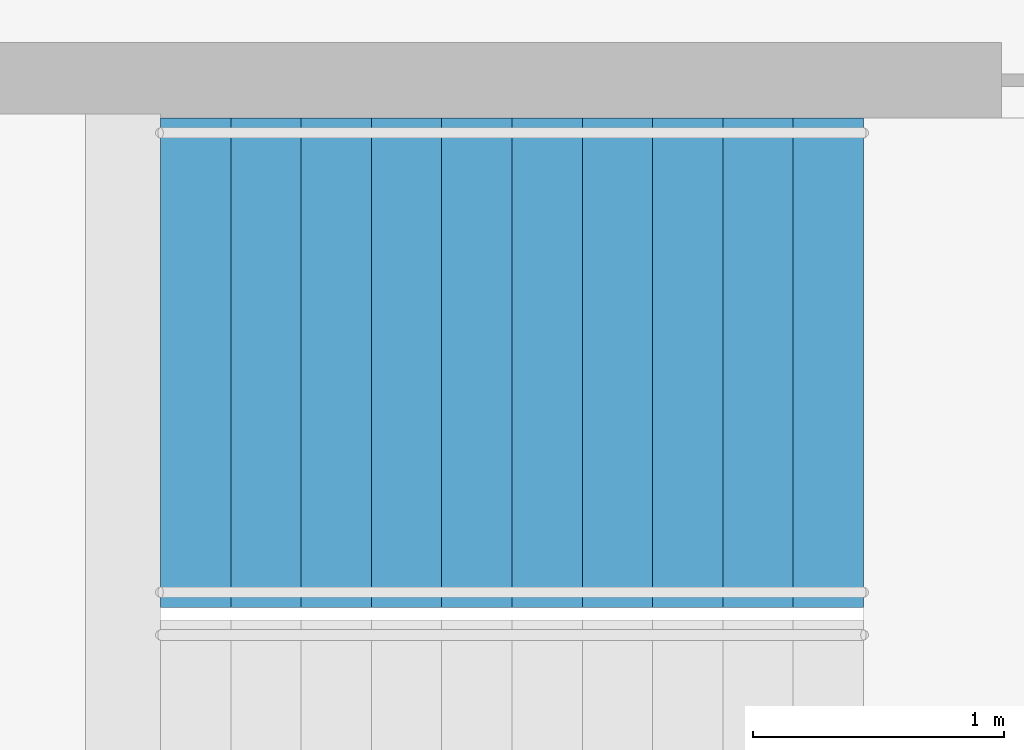
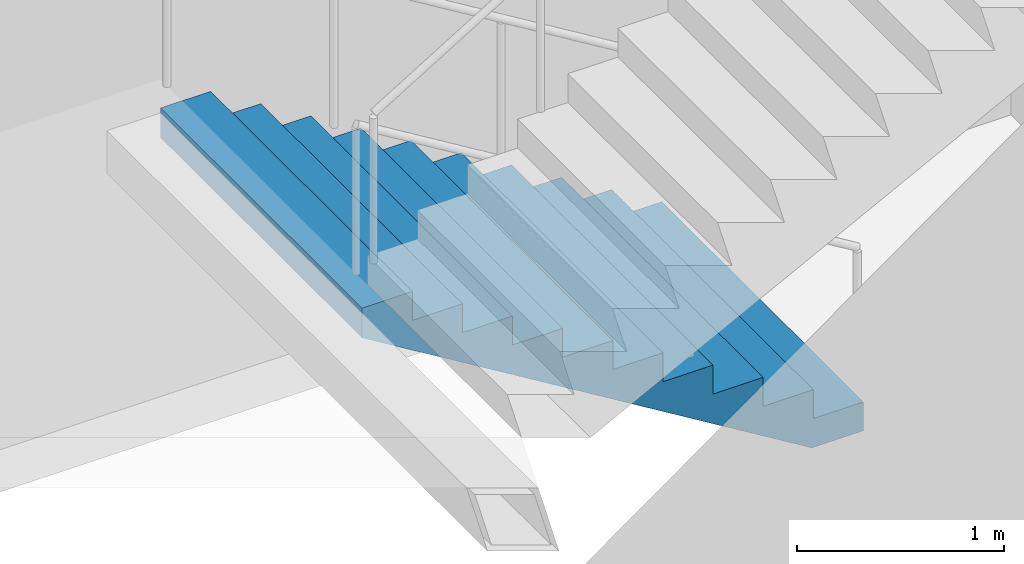
# One storey, part 22 of 23: 1 stair flight, 1 element without a shape of its own.
"""IFC4 building model written with IfcOpenShell, lengths in metres."""

from ifc_helpers import new_model, si_unit, direction, frame, origin, place, context, subcontext, project, spatial, triangles, material, type_object, element, aggregate, save


model = new_model("IFC4")

# Units and contexts
model_context = context("Model", 3, precision=1e-05, world=origin(), true_north=direction((0.0, 1.0)))
body_context = subcontext(model_context, "Body", "Model", "MODEL_VIEW")
ifc_project = project(units=[si_unit("LENGTHUNIT", "METRE"), si_unit("AREAUNIT", "SQUARE_METRE"), si_unit("VOLUMEUNIT", "CUBIC_METRE"), si_unit("PLANEANGLEUNIT", "RADIAN"), si_unit("MASSUNIT", "GRAM", prefix="KILO")], contexts=[model_context])

# Site, building, storey
site_placement = place(None, origin())
site = spatial("IfcSite", under=ifc_project, at=site_placement, CompositionType="ELEMENT")
building_placement = place(site_placement, origin())
building = spatial("IfcBuilding", under=site, at=building_placement, Name="Orbita Commons", CompositionType="ELEMENT")
storey_placement = place(building_placement, frame((0.0, 0.0, 65.199951171875)))
storey = spatial("IfcBuildingStorey", under=building, at=storey_placement, Name="L16", CompositionType="ELEMENT", Elevation=65.199951171875)

# Stair, stair flight
ifc_material_1 = material(Name="Precast concrete C40/50", Category="concrete")
stair_type = type_object("IfcStairType", Name="Exit stair S2 2 flights 11 risers 170", PredefinedType="HALF_TURN_STAIR", material=ifc_material_1)
stair_placement = place(storey_placement, origin())
stair = element("IfcStair", 1, at=stair_placement, inside=storey, type_object=stair_type, Name="Exit stair S2 L16", PredefinedType="HALF_TURN_STAIR")
ifc_material_2 = material(Name="Precast concrete C40/50", Category="concrete")
stair_flight_type = type_object("IfcStairFlightType", Name="Stair flight 11 risers 170 x 280", PredefinedType="STRAIGHT", material=ifc_material_2)
stair_flight_placement = place(storey_placement, frame((63.550048828125, 29.27490234375, 0.0), z_axis=(0.0, 0.0, 1.0), x_axis=(-1.0, 0.0, 0.0)))
stair_flight = element("IfcStairFlight", 2, at=stair_flight_placement, type_object=stair_flight_type, Name="S2 flight 1", NumberOfRisers=11, NumberOfTreads=10, PredefinedType="STRAIGHT", RiserHeight=0.170454545, TreadLength=0.28, context=body_context, shape_type="Tessellation", body=[
    triangles([(0.0, 0.974976, 0.0), (0.0, 0.974976, 0.021307), (0.0, 0.81248, 0.021307), (0.0, 0.81248, 0.0), (0.0, 0.649984, 0.021307), (0.0, 0.649984, 0.0), (0.0, 0.487488, 0.021307), (0.0, 0.487488, 0.0), (0.0, 0.324992, 0.021307), (0.0, 0.324992, 0.0), (0.0, 0.162496, 0.021307), (0.0, 0.162496, 0.0), (0.0, 0.0, 0.021307), (0.0, 0.0, 0.0), (0.0, -0.162496, 0.021307), (0.0, -0.162496, 0.0), (0.0, -0.324992, 0.021307), (0.0, -0.324992, 0.0), (0.0, -0.487488, 0.021307), (0.0, -0.487488, 0.0), (0.0, -0.649984, 0.021307), (0.0, -0.649984, 0.0), (0.0, -0.81248, 0.021307), (0.0, -0.81248, 0.0), (0.0, -0.974976, 0.021307), (0.0, -0.974976, 0.0), (0.0, 0.974976, 0.042614), (0.0, 0.81248, 0.042614), (0.0, 0.649984, 0.042614), (0.0, 0.487488, 0.042614), (0.0, 0.324992, 0.042614), (0.0, 0.162496, 0.042614), (0.0, 0.0, 0.042614), (0.0, -0.162496, 0.042614), (0.0, -0.324992, 0.042614), (0.0, -0.487488, 0.042614), (0.0, -0.649984, 0.042614), (0.0, -0.81248, 0.042614), (0.0, -0.974976, 0.042614), (0.0, 0.974976, 0.06392), (0.0, 0.81248, 0.06392), (0.0, 0.649984, 0.06392), (0.0, 0.487488, 0.06392), (0.0, 0.324992, 0.06392), (0.0, 0.162496, 0.06392), (0.0, 0.0, 0.06392), (0.0, -0.162496, 0.06392), (0.0, -0.324992, 0.06392), (0.0, -0.487488, 0.06392), (0.0, -0.649984, 0.06392), (0.0, -0.81248, 0.06392), (0.0, -0.974976, 0.06392), (0.0, 0.974976, 0.085227), (0.0, 0.81248, 0.085227), (0.0, 0.649984, 0.085227), (0.0, 0.487488, 0.085227), (0.0, 0.324992, 0.085227), (0.0, 0.162496, 0.085227), (0.0, 0.0, 0.085227), (0.0, -0.162496, 0.085227), (0.0, -0.324992, 0.085227), (0.0, -0.487488, 0.085227), (0.0, -0.649984, 0.085227), (0.0, -0.81248, 0.085227), (0.0, -0.974976, 0.085227), (0.0, 0.974976, 0.106534), (0.0, 0.81248, 0.106534), (0.0, 0.649984, 0.106534), (0.0, 0.487488, 0.106534), (0.0, 0.324992, 0.106534), (0.0, 0.162496, 0.106534), (0.0, 0.0, 0.106534), (0.0, -0.162496, 0.106534), (0.0, -0.324992, 0.106534), (0.0, -0.487488, 0.106534), (0.0, -0.649984, 0.106534), (0.0, -0.81248, 0.106534), (0.0, -0.974976, 0.106534), (0.0, 0.974976, 0.127841), (0.0, 0.81248, 0.127841), (0.0, 0.649984, 0.127841), (0.0, 0.487488, 0.127841), (0.0, 0.324992, 0.127841), (0.0, 0.162496, 0.127841), (0.0, 0.0, 0.127841), (0.0, -0.162496, 0.127841), (0.0, -0.324992, 0.127841), (0.0, -0.487488, 0.127841), (0.0, -0.649984, 0.127841), (0.0, -0.81248, 0.127841), (0.0, -0.974976, 0.127841), (0.0, 0.974976, 0.149148), (0.0, 0.81248, 0.149148), (0.0, 0.649984, 0.149148), (0.0, 0.487488, 0.149148), (0.0, 0.324992, 0.149148), (0.0, 0.162496, 0.149148), (0.0, 0.0, 0.149148), (0.0, -0.162496, 0.149148), (0.0, -0.324992, 0.149148), (0.0, -0.487488, 0.149148), (0.0, -0.649984, 0.149148), (0.0, -0.81248, 0.149148), (0.0, -0.974976, 0.149148), (0.0, 0.974976, 0.170455), (0.0, 0.81248, 0.170455), (0.0, 0.649984, 0.170455), (0.0, 0.487488, 0.170455), (0.0, 0.324992, 0.170455), (0.0, 0.162496, 0.170455), (0.0, 0.0, 0.170455), (0.0, -0.162496, 0.170455), (0.0, -0.324992, 0.170455), (0.0, -0.487488, 0.170455), (0.0, -0.649984, 0.170455), (0.0, -0.81248, 0.170455), (0.0, -0.974976, 0.170455), (0.28, 0.974976, 0.170455), (0.28, 0.81248, 0.170455), (0.28, 0.649984, 0.170455), (0.28, 0.487488, 0.170455), (0.28, 0.324992, 0.170455), (0.28, 0.162496, 0.170455), (0.28, 0.0, 0.170455), (0.28, -0.162496, 0.170455), (0.28, -0.324992, 0.170455), (0.28, -0.487488, 0.170455), (0.28, -0.649984, 0.170455), (0.28, -0.81248, 0.170455), (0.28, -0.974976, 0.170455), (0.28, 0.974976, 0.340909), (0.28, 0.81248, 0.340909), (0.28, 0.649984, 0.340909), (0.28, 0.487488, 0.340909), (0.28, 0.324992, 0.340909), (0.28, 0.162496, 0.340909), (0.28, 0.0, 0.340909), (0.28, -0.162496, 0.340909), (0.28, -0.324992, 0.340909), (0.28, -0.487488, 0.340909), (0.28, -0.649984, 0.340909), (0.28, -0.81248, 0.340909), (0.28, -0.974976, 0.340909), (0.56, 0.974976, 0.340909), (0.56, 0.81248, 0.340909), (0.56, 0.649984, 0.340909), (0.56, 0.487488, 0.340909), (0.56, 0.324992, 0.340909), (0.56, 0.162496, 0.340909), (0.56, 0.0, 0.340909), (0.56, -0.162496, 0.340909), (0.56, -0.324992, 0.340909), (0.56, -0.487488, 0.340909), (0.56, -0.649984, 0.340909), (0.56, -0.81248, 0.340909), (0.56, -0.974976, 0.340909), (0.56, 0.974976, 0.511364), (0.56, 0.81248, 0.511364), (0.56, 0.649984, 0.511364), (0.56, 0.487488, 0.511364), (0.56, 0.324992, 0.511364), (0.56, 0.162496, 0.511364), (0.56, 0.0, 0.511364), (0.56, -0.162496, 0.511364), (0.56, -0.324992, 0.511364), (0.56, -0.487488, 0.511364), (0.56, -0.649984, 0.511364), (0.56, -0.81248, 0.511364), (0.56, -0.974976, 0.511364), (0.84, 0.974976, 0.511364), (0.84, 0.81248, 0.511364), (0.84, 0.649984, 0.511364), (0.84, 0.487488, 0.511364), (0.84, 0.324992, 0.511364), (0.84, 0.162496, 0.511364), (0.84, 0.0, 0.511364), (0.84, -0.162496, 0.511364), (0.84, -0.324992, 0.511364), (0.84, -0.487488, 0.511364), (0.84, -0.649984, 0.511364), (0.84, -0.81248, 0.511364), (0.84, -0.974976, 0.511364), (0.84, 0.974976, 0.681818), (0.84, 0.81248, 0.681818), (0.84, 0.649984, 0.681818), (0.84, 0.487488, 0.681818), (0.84, 0.324992, 0.681818), (0.84, 0.162496, 0.681818), (0.84, 0.0, 0.681818), (0.84, -0.162496, 0.681818), (0.84, -0.324992, 0.681818), (0.84, -0.487488, 0.681818), (0.84, -0.649984, 0.681818), (0.84, -0.81248, 0.681818), (0.84, -0.974976, 0.681818), (1.12, 0.974976, 0.681818), (1.12, 0.81248, 0.681818), (1.12, 0.649984, 0.681818), (1.12, 0.487488, 0.681818), (1.12, 0.324992, 0.681818), (1.12, 0.162496, 0.681818), (1.12, 0.0, 0.681818), (1.12, -0.162496, 0.681818), (1.12, -0.324992, 0.681818), (1.12, -0.487488, 0.681818), (1.12, -0.649984, 0.681818), (1.12, -0.81248, 0.681818), (1.12, -0.974976, 0.681818), (1.12, 0.974976, 0.852273), (1.12, 0.81248, 0.852273), (1.12, 0.649984, 0.852273), (1.12, 0.487488, 0.852273), (1.12, 0.324992, 0.852273), (1.12, 0.162496, 0.852273), (1.12, 0.0, 0.852273), (1.12, -0.162496, 0.852273), (1.12, -0.324992, 0.852273), (1.12, -0.487488, 0.852273), (1.12, -0.649984, 0.852273), (1.12, -0.81248, 0.852273), (1.12, -0.974976, 0.852273), (1.4, 0.974976, 0.852273), (1.4, 0.81248, 0.852273), (1.4, 0.649984, 0.852273), (1.4, 0.487488, 0.852273), (1.4, 0.324992, 0.852273), (1.4, 0.162496, 0.852273), (1.4, 0.0, 0.852273), (1.4, -0.162496, 0.852273), (1.4, -0.324992, 0.852273), (1.4, -0.487488, 0.852273), (1.4, -0.649984, 0.852273), (1.4, -0.81248, 0.852273), (1.4, -0.974976, 0.852273), (1.4, 0.974976, 1.022727), (1.4, 0.81248, 1.022727), (1.4, 0.649984, 1.022727), (1.4, 0.487488, 1.022727), (1.4, 0.324992, 1.022727), (1.4, 0.162496, 1.022727), (1.4, 0.0, 1.022727), (1.4, -0.162496, 1.022727), (1.4, -0.324992, 1.022727), (1.4, -0.487488, 1.022727), (1.4, -0.649984, 1.022727), (1.4, -0.81248, 1.022727), (1.4, -0.974976, 1.022727), (1.68, 0.974976, 1.022727), (1.68, 0.81248, 1.022727), (1.68, 0.649984, 1.022727), (1.68, 0.487488, 1.022727), (1.68, 0.324992, 1.022727), (1.68, 0.162496, 1.022727), (1.68, 0.0, 1.022727), (1.68, -0.162496, 1.022727), (1.68, -0.324992, 1.022727), (1.68, -0.487488, 1.022727), (1.68, -0.649984, 1.022727), (1.68, -0.81248, 1.022727), (1.68, -0.974976, 1.022727), (1.68, 0.974976, 1.193182), (1.68, 0.81248, 1.193182), (1.68, 0.649984, 1.193182), (1.68, 0.487488, 1.193182), (1.68, 0.324992, 1.193182), (1.68, 0.162496, 1.193182), (1.68, 0.0, 1.193182), (1.68, -0.162496, 1.193182), (1.68, -0.324992, 1.193182), (1.68, -0.487488, 1.193182), (1.68, -0.649984, 1.193182), (1.68, -0.81248, 1.193182), (1.68, -0.974976, 1.193182), (1.96, 0.974976, 1.193182), (1.96, 0.81248, 1.193182), (1.96, 0.649984, 1.193182), (1.96, 0.487488, 1.193182), (1.96, 0.324992, 1.193182), (1.96, 0.162496, 1.193182), (1.96, 0.0, 1.193182), (1.96, -0.162496, 1.193182), (1.96, -0.324992, 1.193182), (1.96, -0.487488, 1.193182), (1.96, -0.649984, 1.193182), (1.96, -0.81248, 1.193182), (1.96, -0.974976, 1.193182), (1.96, 0.974976, 1.363636), (1.96, 0.81248, 1.363636), (1.96, 0.649984, 1.363636), (1.96, 0.487488, 1.363636), (1.96, 0.324992, 1.363636), (1.96, 0.162496, 1.363636), (1.96, 0.0, 1.363636), (1.96, -0.162496, 1.363636), (1.96, -0.324992, 1.363636), (1.96, -0.487488, 1.363636), (1.96, -0.649984, 1.363636), (1.96, -0.81248, 1.363636), (1.96, -0.974976, 1.363636), (2.24, 0.974976, 1.363636), (2.24, 0.81248, 1.363636), (2.24, 0.649984, 1.363636), (2.24, 0.487488, 1.363636), (2.24, 0.324992, 1.363636), (2.24, 0.162496, 1.363636), (2.24, 0.0, 1.363636), (2.24, -0.162496, 1.363636), (2.24, -0.324992, 1.363636), (2.24, -0.487488, 1.363636), (2.24, -0.649984, 1.363636), (2.24, -0.81248, 1.363636), (2.24, -0.974976, 1.363636), (2.24, 0.974976, 1.534091), (2.24, 0.81248, 1.534091), (2.24, 0.649984, 1.534091), (2.24, 0.487488, 1.534091), (2.24, 0.324992, 1.534091), (2.24, 0.162496, 1.534091), (2.24, 0.0, 1.534091), (2.24, -0.162496, 1.534091), (2.24, -0.324992, 1.534091), (2.24, -0.487488, 1.534091), (2.24, -0.649984, 1.534091), (2.24, -0.81248, 1.534091), (2.24, -0.974976, 1.534091), (2.52, 0.974976, 1.534091), (2.52, 0.81248, 1.534091), (2.52, 0.649984, 1.534091), (2.52, 0.487488, 1.534091), (2.52, 0.324992, 1.534091), (2.52, 0.162496, 1.534091), (2.52, 0.0, 1.534091), (2.52, -0.162496, 1.534091), (2.52, -0.324992, 1.534091), (2.52, -0.487488, 1.534091), (2.52, -0.649984, 1.534091), (2.52, -0.81248, 1.534091), (2.52, -0.974976, 1.534091), (2.52, 0.974976, 1.704545), (2.52, 0.81248, 1.704545), (2.52, 0.649984, 1.704545), (2.52, 0.487488, 1.704545), (2.52, 0.324992, 1.704545), (2.52, 0.162496, 1.704545), (2.52, 0.0, 1.704545), (2.52, -0.162496, 1.704545), (2.52, -0.324992, 1.704545), (2.52, -0.487488, 1.704545), (2.52, -0.649984, 1.704545), (2.52, -0.81248, 1.704545), (2.52, -0.974976, 1.704545), (2.8, 0.974976, 1.704545), (2.8, 0.81248, 1.704545), (2.8, 0.649984, 1.704545), (2.8, 0.487488, 1.704545), (2.8, 0.324992, 1.704545), (2.8, 0.162496, 1.704545), (2.8, 0.0, 1.704545), (2.8, -0.162496, 1.704545), (2.8, -0.324992, 1.704545), (2.8, -0.487488, 1.704545), (2.8, -0.649984, 1.704545), (2.8, -0.81248, 1.704545), (2.8, -0.974976, 1.704545), (2.8, 0.974976, 1.682609), (2.8, 0.81248, 1.682609), (2.8, 0.649984, 1.682609), (2.8, 0.487488, 1.682609), (2.8, 0.324992, 1.682609), (2.8, 0.162496, 1.682609), (2.8, 0.0, 1.682609), (2.8, -0.162496, 1.682609), (2.8, -0.324992, 1.682609), (2.8, -0.487488, 1.682609), (2.8, -0.649984, 1.682609), (2.8, -0.81248, 1.682609), (2.8, -0.974976, 1.682609), (2.8, 0.974976, 1.660672), (2.8, 0.81248, 1.660672), (2.8, 0.649984, 1.660672), (2.8, 0.487488, 1.660672), (2.8, 0.324992, 1.660672), (2.8, 0.162496, 1.660672), (2.8, 0.0, 1.660672), (2.8, -0.162496, 1.660672), (2.8, -0.324992, 1.660672), (2.8, -0.487488, 1.660672), (2.8, -0.649984, 1.660672), (2.8, -0.81248, 1.660672), (2.8, -0.974976, 1.660672), (2.8, 0.974976, 1.638735), (2.8, 0.81248, 1.638735), (2.8, 0.649984, 1.638735), (2.8, 0.487488, 1.638735), (2.8, 0.324992, 1.638735), (2.8, 0.162496, 1.638735), (2.8, 0.0, 1.638735), (2.8, -0.162496, 1.638735), (2.8, -0.324992, 1.638735), (2.8, -0.487488, 1.638735), (2.8, -0.649984, 1.638735), (2.8, -0.81248, 1.638735), (2.8, -0.974976, 1.638735), (2.8, 0.974976, 1.616798), (2.8, 0.81248, 1.616798), (2.8, 0.649984, 1.616798), (2.8, 0.487488, 1.616798), (2.8, 0.324992, 1.616798), (2.8, 0.162496, 1.616798), (2.8, 0.0, 1.616798), (2.8, -0.162496, 1.616798), (2.8, -0.324992, 1.616798), (2.8, -0.487488, 1.616798), (2.8, -0.649984, 1.616798), (2.8, -0.81248, 1.616798), (2.8, -0.974976, 1.616798), (2.8, 0.974976, 1.594861), (2.8, 0.81248, 1.594861), (2.8, 0.649984, 1.594861), (2.8, 0.487488, 1.594861), (2.8, 0.324992, 1.594861), (2.8, 0.162496, 1.594861), (2.8, 0.0, 1.594861), (2.8, -0.162496, 1.594861), (2.8, -0.324992, 1.594861), (2.8, -0.487488, 1.594861), (2.8, -0.649984, 1.594861), (2.8, -0.81248, 1.594861), (2.8, -0.974976, 1.594861), (2.8, 0.974976, 1.572925), (2.8, 0.81248, 1.572925), (2.8, 0.649984, 1.572925), (2.8, 0.487488, 1.572925), (2.8, 0.324992, 1.572925), (2.8, 0.162496, 1.572925), (2.8, 0.0, 1.572925), (2.8, -0.162496, 1.572925), (2.8, -0.324992, 1.572925), (2.8, -0.487488, 1.572925), (2.8, -0.649984, 1.572925), (2.8, -0.81248, 1.572925), (2.8, -0.974976, 1.572925), (2.8, 0.974976, 1.550988), (2.8, 0.81248, 1.550988), (2.8, 0.649984, 1.550988), (2.8, 0.487488, 1.550988), (2.8, 0.324992, 1.550988), (2.8, 0.162496, 1.550988), (2.8, 0.0, 1.550988), (2.8, -0.162496, 1.550988), (2.8, -0.324992, 1.550988), (2.8, -0.487488, 1.550988), (2.8, -0.649984, 1.550988), (2.8, -0.81248, 1.550988), (2.8, -0.974976, 1.550988), (2.8, 0.974976, 1.529051), (2.8, 0.81248, 1.529051), (2.8, 0.649984, 1.529051), (2.8, 0.487488, 1.529051), (2.8, 0.324992, 1.529051), (2.8, 0.162496, 1.529051), (2.8, 0.0, 1.529051), (2.8, -0.162496, 1.529051), (2.8, -0.324992, 1.529051), (2.8, -0.487488, 1.529051), (2.8, -0.649984, 1.529051), (2.8, -0.81248, 1.529051), (2.8, -0.974976, 1.529051), (0.288279, 0.974976, 0.0), (0.288279, 0.81248, 0.0), (0.288279, 0.649984, 0.0), (0.288279, 0.487488, 0.0), (0.288279, 0.324992, 0.0), (0.288279, 0.162496, 0.0), (0.288279, 0.0, 0.0), (0.288279, -0.162496, 0.0), (0.288279, -0.324992, 0.0), (0.288279, -0.487488, 0.0), (0.288279, -0.649984, 0.0), (0.288279, -0.81248, 0.0), (0.288279, -0.974976, 0.0)], [[3, 2, 1], [4, 3, 1], [5, 3, 4], [6, 5, 4], [7, 5, 6], [8, 7, 6], [9, 7, 8], [10, 9, 8], [11, 9, 10], [12, 11, 10], [13, 11, 12], [14, 13, 12], [15, 13, 14], [16, 15, 14], [17, 15, 16], [18, 17, 16], [19, 17, 18], [20, 19, 18], [21, 19, 20], [22, 21, 20], [23, 21, 22], [24, 23, 22], [25, 23, 24], [26, 25, 24], [28, 27, 2], [3, 28, 2], [29, 28, 3], [5, 29, 3], [30, 29, 5], [7, 30, 5], [31, 30, 7], [9, 31, 7], [32, 31, 9], [11, 32, 9], [33, 32, 11], [13, 33, 11], [34, 33, 13], [15, 34, 13], [35, 34, 15], [17, 35, 15], [36, 35, 17], [19, 36, 17], [37, 36, 19], [21, 37, 19], [38, 37, 21], [23, 38, 21], [39, 38, 23], [25, 39, 23], [41, 40, 27], [28, 41, 27], [42, 41, 28], [29, 42, 28], [43, 42, 29], [30, 43, 29], [44, 43, 30], [31, 44, 30], [45, 44, 31], [32, 45, 31], [46, 45, 32], [33, 46, 32], [47, 46, 33], [34, 47, 33], [48, 47, 34], [35, 48, 34], [49, 48, 35], [36, 49, 35], [50, 49, 36], [37, 50, 36], [51, 50, 37], [38, 51, 37], [52, 51, 38], [39, 52, 38], [54, 53, 40], [41, 54, 40], [55, 54, 41], [42, 55, 41], [56, 55, 42], [43, 56, 42], [57, 56, 43], [44, 57, 43], [58, 57, 44], [45, 58, 44], [59, 58, 45], [46, 59, 45], [60, 59, 46], [47, 60, 46], [61, 60, 47], [48, 61, 47], [62, 61, 48], [49, 62, 48], [63, 62, 49], [50, 63, 49], [64, 63, 50], [51, 64, 50], [65, 64, 51], [52, 65, 51], [67, 66, 53], [54, 67, 53], [68, 67, 54], [55, 68, 54], [69, 68, 55], [56, 69, 55], [70, 69, 56], [57, 70, 56], [71, 70, 57], [58, 71, 57], [72, 71, 58], [59, 72, 58], [73, 72, 59], [60, 73, 59], [74, 73, 60], [61, 74, 60], [75, 74, 61], [62, 75, 61], [76, 75, 62], [63, 76, 62], [77, 76, 63], [64, 77, 63], [78, 77, 64], [65, 78, 64], [80, 79, 66], [67, 80, 66], [81, 80, 67], [68, 81, 67], [82, 81, 68], [69, 82, 68], [83, 82, 69], [70, 83, 69], [84, 83, 70], [71, 84, 70], [85, 84, 71], [72, 85, 71], [86, 85, 72], [73, 86, 72], [87, 86, 73], [74, 87, 73], [88, 87, 74], [75, 88, 74], [89, 88, 75], [76, 89, 75], [90, 89, 76], [77, 90, 76], [91, 90, 77], [78, 91, 77], [93, 92, 79], [80, 93, 79], [94, 93, 80], [81, 94, 80], [95, 94, 81], [82, 95, 81], [96, 95, 82], [83, 96, 82], [97, 96, 83], [84, 97, 83], [98, 97, 84], [85, 98, 84], [99, 98, 85], [86, 99, 85], [100, 99, 86], [87, 100, 86], [101, 100, 87], [88, 101, 87], [102, 101, 88], [89, 102, 88], [103, 102, 89], [90, 103, 89], [104, 103, 90], [91, 104, 90], [106, 105, 92], [93, 106, 92], [107, 106, 93], [94, 107, 93], [108, 107, 94], [95, 108, 94], [109, 108, 95], [96, 109, 95], [110, 109, 96], [97, 110, 96], [111, 110, 97], [98, 111, 97], [112, 111, 98], [99, 112, 98], [113, 112, 99], [100, 113, 99], [114, 113, 100], [101, 114, 100], [115, 114, 101], [102, 115, 101], [116, 115, 102], [103, 116, 102], [117, 116, 103], [104, 117, 103], [119, 118, 105], [106, 119, 105], [120, 119, 106], [107, 120, 106], [121, 120, 107], [108, 121, 107], [122, 121, 108], [109, 122, 108], [123, 122, 109], [110, 123, 109], [124, 123, 110], [111, 124, 110], [125, 124, 111], [112, 125, 111], [126, 125, 112], [113, 126, 112], [127, 126, 113], [114, 127, 113], [128, 127, 114], [115, 128, 114], [129, 128, 115], [116, 129, 115], [130, 129, 116], [117, 130, 116], [132, 131, 118], [119, 132, 118], [133, 132, 119], [120, 133, 119], [134, 133, 120], [121, 134, 120], [135, 134, 121], [122, 135, 121], [136, 135, 122], [123, 136, 122], [137, 136, 123], [124, 137, 123], [138, 137, 124], [125, 138, 124], [139, 138, 125], [126, 139, 125], [140, 139, 126], [127, 140, 126], [141, 140, 127], [128, 141, 127], [142, 141, 128], [129, 142, 128], [143, 142, 129], [130, 143, 129], [145, 144, 131], [132, 145, 131], [146, 145, 132], [133, 146, 132], [147, 146, 133], [134, 147, 133], [148, 147, 134], [135, 148, 134], [149, 148, 135], [136, 149, 135], [150, 149, 136], [137, 150, 136], [151, 150, 137], [138, 151, 137], [152, 151, 138], [139, 152, 138], [153, 152, 139], [140, 153, 139], [154, 153, 140], [141, 154, 140], [155, 154, 141], [142, 155, 141], [156, 155, 142], [143, 156, 142], [158, 157, 144], [145, 158, 144], [159, 158, 145], [146, 159, 145], [160, 159, 146], [147, 160, 146], [161, 160, 147], [148, 161, 147], [162, 161, 148], [149, 162, 148], [163, 162, 149], [150, 163, 149], [164, 163, 150], [151, 164, 150], [165, 164, 151], [152, 165, 151], [166, 165, 152], [153, 166, 152], [167, 166, 153], [154, 167, 153], [168, 167, 154], [155, 168, 154], [169, 168, 155], [156, 169, 155], [171, 170, 157], [158, 171, 157], [172, 171, 158], [159, 172, 158], [173, 172, 159], [160, 173, 159], [174, 173, 160], [161, 174, 160], [175, 174, 161], [162, 175, 161], [176, 175, 162], [163, 176, 162], [177, 176, 163], [164, 177, 163], [178, 177, 164], [165, 178, 164], [179, 178, 165], [166, 179, 165], [180, 179, 166], [167, 180, 166], [181, 180, 167], [168, 181, 167], [182, 181, 168], [169, 182, 168], [184, 183, 170], [171, 184, 170], [185, 184, 171], [172, 185, 171], [186, 185, 172], [173, 186, 172], [187, 186, 173], [174, 187, 173], [188, 187, 174], [175, 188, 174], [189, 188, 175], [176, 189, 175], [190, 189, 176], [177, 190, 176], [191, 190, 177], [178, 191, 177], [192, 191, 178], [179, 192, 178], [193, 192, 179], [180, 193, 179], [194, 193, 180], [181, 194, 180], [195, 194, 181], [182, 195, 181], [197, 196, 183], [184, 197, 183], [198, 197, 184], [185, 198, 184], [199, 198, 185], [186, 199, 185], [200, 199, 186], [187, 200, 186], [201, 200, 187], [188, 201, 187], [202, 201, 188], [189, 202, 188], [203, 202, 189], [190, 203, 189], [204, 203, 190], [191, 204, 190], [205, 204, 191], [192, 205, 191], [206, 205, 192], [193, 206, 192], [207, 206, 193], [194, 207, 193], [208, 207, 194], [195, 208, 194], [210, 209, 196], [197, 210, 196], [211, 210, 197], [198, 211, 197], [212, 211, 198], [199, 212, 198], [213, 212, 199], [200, 213, 199], [214, 213, 200], [201, 214, 200], [215, 214, 201], [202, 215, 201], [216, 215, 202], [203, 216, 202], [217, 216, 203], [204, 217, 203], [218, 217, 204], [205, 218, 204], [219, 218, 205], [206, 219, 205], [220, 219, 206], [207, 220, 206], [221, 220, 207], [208, 221, 207], [223, 222, 209], [210, 223, 209], [224, 223, 210], [211, 224, 210], [225, 224, 211], [212, 225, 211], [226, 225, 212], [213, 226, 212], [227, 226, 213], [214, 227, 213], [228, 227, 214], [215, 228, 214], [229, 228, 215], [216, 229, 215], [230, 229, 216], [217, 230, 216], [231, 230, 217], [218, 231, 217], [232, 231, 218], [219, 232, 218], [233, 232, 219], [220, 233, 219], [234, 233, 220], [221, 234, 220], [236, 235, 222], [223, 236, 222], [237, 236, 223], [224, 237, 223], [238, 237, 224], [225, 238, 224], [239, 238, 225], [226, 239, 225], [240, 239, 226], [227, 240, 226], [241, 240, 227], [228, 241, 227], [242, 241, 228], [229, 242, 228], [243, 242, 229], [230, 243, 229], [244, 243, 230], [231, 244, 230], [245, 244, 231], [232, 245, 231], [246, 245, 232], [233, 246, 232], [247, 246, 233], [234, 247, 233], [249, 248, 235], [236, 249, 235], [250, 249, 236], [237, 250, 236], [251, 250, 237], [238, 251, 237], [252, 251, 238], [239, 252, 238], [253, 252, 239], [240, 253, 239], [254, 253, 240], [241, 254, 240], [255, 254, 241], [242, 255, 241], [256, 255, 242], [243, 256, 242], [257, 256, 243], [244, 257, 243], [258, 257, 244], [245, 258, 244], [259, 258, 245], [246, 259, 245], [260, 259, 246], [247, 260, 246], [262, 261, 248], [249, 262, 248], [263, 262, 249], [250, 263, 249], [264, 263, 250], [251, 264, 250], [265, 264, 251], [252, 265, 251], [266, 265, 252], [253, 266, 252], [267, 266, 253], [254, 267, 253], [268, 267, 254], [255, 268, 254], [269, 268, 255], [256, 269, 255], [270, 269, 256], [257, 270, 256], [271, 270, 257], [258, 271, 257], [272, 271, 258], [259, 272, 258], [273, 272, 259], [260, 273, 259], [275, 274, 261], [262, 275, 261], [276, 275, 262], [263, 276, 262], [277, 276, 263], [264, 277, 263], [278, 277, 264], [265, 278, 264], [279, 278, 265], [266, 279, 265], [280, 279, 266], [267, 280, 266], [281, 280, 267], [268, 281, 267], [282, 281, 268], [269, 282, 268], [283, 282, 269], [270, 283, 269], [284, 283, 270], [271, 284, 270], [285, 284, 271], [272, 285, 271], [286, 285, 272], [273, 286, 272], [288, 287, 274], [275, 288, 274], [289, 288, 275], [276, 289, 275], [290, 289, 276], [277, 290, 276], [291, 290, 277], [278, 291, 277], [292, 291, 278], [279, 292, 278], [293, 292, 279], [280, 293, 279], [294, 293, 280], [281, 294, 280], [295, 294, 281], [282, 295, 281], [296, 295, 282], [283, 296, 282], [297, 296, 283], [284, 297, 283], [298, 297, 284], [285, 298, 284], [299, 298, 285], [286, 299, 285], [301, 300, 287], [288, 301, 287], [302, 301, 288], [289, 302, 288], [303, 302, 289], [290, 303, 289], [304, 303, 290], [291, 304, 290], [305, 304, 291], [292, 305, 291], [306, 305, 292], [293, 306, 292], [307, 306, 293], [294, 307, 293], [308, 307, 294], [295, 308, 294], [309, 308, 295], [296, 309, 295], [310, 309, 296], [297, 310, 296], [311, 310, 297], [298, 311, 297], [312, 311, 298], [299, 312, 298], [314, 313, 300], [301, 314, 300], [315, 314, 301], [302, 315, 301], [316, 315, 302], [303, 316, 302], [317, 316, 303], [304, 317, 303], [318, 317, 304], [305, 318, 304], [319, 318, 305], [306, 319, 305], [320, 319, 306], [307, 320, 306], [321, 320, 307], [308, 321, 307], [322, 321, 308], [309, 322, 308], [323, 322, 309], [310, 323, 309], [324, 323, 310], [311, 324, 310], [325, 324, 311], [312, 325, 311], [327, 326, 313], [314, 327, 313], [328, 327, 314], [315, 328, 314], [329, 328, 315], [316, 329, 315], [330, 329, 316], [317, 330, 316], [331, 330, 317], [318, 331, 317], [332, 331, 318], [319, 332, 318], [333, 332, 319], [320, 333, 319], [334, 333, 320], [321, 334, 320], [335, 334, 321], [322, 335, 321], [336, 335, 322], [323, 336, 322], [337, 336, 323], [324, 337, 323], [338, 337, 324], [325, 338, 324], [340, 339, 326], [327, 340, 326], [341, 340, 327], [328, 341, 327], [342, 341, 328], [329, 342, 328], [343, 342, 329], [330, 343, 329], [344, 343, 330], [331, 344, 330], [345, 344, 331], [332, 345, 331], [346, 345, 332], [333, 346, 332], [347, 346, 333], [334, 347, 333], [348, 347, 334], [335, 348, 334], [349, 348, 335], [336, 349, 335], [350, 349, 336], [337, 350, 336], [351, 350, 337], [338, 351, 337], [353, 352, 339], [340, 353, 339], [354, 353, 340], [341, 354, 340], [355, 354, 341], [342, 355, 341], [356, 355, 342], [343, 356, 342], [357, 356, 343], [344, 357, 343], [358, 357, 344], [345, 358, 344], [359, 358, 345], [346, 359, 345], [360, 359, 346], [347, 360, 346], [361, 360, 347], [348, 361, 347], [362, 361, 348], [349, 362, 348], [363, 362, 349], [350, 363, 349], [364, 363, 350], [351, 364, 350], [366, 365, 352], [353, 366, 352], [367, 366, 353], [354, 367, 353], [368, 367, 354], [355, 368, 354], [369, 368, 355], [356, 369, 355], [370, 369, 356], [357, 370, 356], [371, 370, 357], [358, 371, 357], [372, 371, 358], [359, 372, 358], [373, 372, 359], [360, 373, 359], [374, 373, 360], [361, 374, 360], [375, 374, 361], [362, 375, 361], [376, 375, 362], [363, 376, 362], [377, 376, 363], [364, 377, 363], [379, 378, 365], [366, 379, 365], [380, 379, 366], [367, 380, 366], [381, 380, 367], [368, 381, 367], [382, 381, 368], [369, 382, 368], [383, 382, 369], [370, 383, 369], [384, 383, 370], [371, 384, 370], [385, 384, 371], [372, 385, 371], [386, 385, 372], [373, 386, 372], [387, 386, 373], [374, 387, 373], [388, 387, 374], [375, 388, 374], [389, 388, 375], [376, 389, 375], [390, 389, 376], [377, 390, 376], [392, 391, 378], [379, 392, 378], [393, 392, 379], [380, 393, 379], [394, 393, 380], [381, 394, 380], [395, 394, 381], [382, 395, 381], [396, 395, 382], [383, 396, 382], [397, 396, 383], [384, 397, 383], [398, 397, 384], [385, 398, 384], [399, 398, 385], [386, 399, 385], [400, 399, 386], [387, 400, 386], [401, 400, 387], [388, 401, 387], [402, 401, 388], [389, 402, 388], [403, 402, 389], [390, 403, 389], [405, 404, 391], [392, 405, 391], [406, 405, 392], [393, 406, 392], [407, 406, 393], [394, 407, 393], [408, 407, 394], [395, 408, 394], [409, 408, 395], [396, 409, 395], [410, 409, 396], [397, 410, 396], [411, 410, 397], [398, 411, 397], [412, 411, 398], [399, 412, 398], [413, 412, 399], [400, 413, 399], [414, 413, 400], [401, 414, 400], [415, 414, 401], [402, 415, 401], [416, 415, 402], [403, 416, 402], [418, 417, 404], [405, 418, 404], [419, 418, 405], [406, 419, 405], [420, 419, 406], [407, 420, 406], [421, 420, 407], [408, 421, 407], [422, 421, 408], [409, 422, 408], [423, 422, 409], [410, 423, 409], [424, 423, 410], [411, 424, 410], [425, 424, 411], [412, 425, 411], [426, 425, 412], [413, 426, 412], [427, 426, 413], [414, 427, 413], [428, 427, 414], [415, 428, 414], [429, 428, 415], [416, 429, 415], [431, 430, 417], [418, 431, 417], [432, 431, 418], [419, 432, 418], [433, 432, 419], [420, 433, 419], [434, 433, 420], [421, 434, 420], [435, 434, 421], [422, 435, 421], [436, 435, 422], [423, 436, 422], [437, 436, 423], [424, 437, 423], [438, 437, 424], [425, 438, 424], [439, 438, 425], [426, 439, 425], [440, 439, 426], [427, 440, 426], [441, 440, 427], [428, 441, 427], [442, 441, 428], [429, 442, 428], [444, 443, 430], [431, 444, 430], [445, 444, 431], [432, 445, 431], [446, 445, 432], [433, 446, 432], [447, 446, 433], [434, 447, 433], [448, 447, 434], [435, 448, 434], [449, 448, 435], [436, 449, 435], [450, 449, 436], [437, 450, 436], [451, 450, 437], [438, 451, 437], [452, 451, 438], [439, 452, 438], [453, 452, 439], [440, 453, 439], [454, 453, 440], [441, 454, 440], [455, 454, 441], [442, 455, 441], [457, 456, 443], [444, 457, 443], [458, 457, 444], [445, 458, 444], [459, 458, 445], [446, 459, 445], [460, 459, 446], [447, 460, 446], [461, 460, 447], [448, 461, 447], [462, 461, 448], [449, 462, 448], [463, 462, 449], [450, 463, 449], [464, 463, 450], [451, 464, 450], [465, 464, 451], [452, 465, 451], [466, 465, 452], [453, 466, 452], [467, 466, 453], [454, 467, 453], [468, 467, 454], [455, 468, 454], [470, 469, 456], [457, 470, 456], [471, 470, 457], [458, 471, 457], [472, 471, 458], [459, 472, 458], [473, 472, 459], [460, 473, 459], [474, 473, 460], [461, 474, 460], [475, 474, 461], [462, 475, 461], [476, 475, 462], [463, 476, 462], [477, 476, 463], [464, 477, 463], [478, 477, 464], [465, 478, 464], [479, 478, 465], [466, 479, 465], [480, 479, 466], [467, 480, 466], [481, 480, 467], [468, 481, 467], [4, 1, 469], [470, 4, 469], [6, 4, 470], [471, 6, 470], [8, 6, 471], [472, 8, 471], [10, 8, 472], [473, 10, 472], [12, 10, 473], [474, 12, 473], [14, 12, 474], [475, 14, 474], [16, 14, 475], [476, 16, 475], [18, 16, 476], [477, 18, 476], [20, 18, 477], [478, 20, 477], [22, 20, 478], [479, 22, 478], [24, 22, 479], [480, 24, 479], [26, 24, 480], [481, 26, 480], [456, 469, 1], [26, 481, 468], [443, 456, 1], [26, 468, 455], [430, 443, 1], [26, 455, 442], [417, 430, 1], [26, 442, 429], [404, 417, 1], [26, 429, 416], [391, 404, 1], [26, 416, 403], [378, 391, 1], [26, 403, 390], [365, 378, 1], [26, 390, 377], [339, 352, 365], [377, 364, 351], [326, 339, 365], [377, 351, 338], [300, 313, 326], [338, 325, 312], [300, 326, 365], [377, 338, 312], [274, 287, 300], [312, 299, 286], [274, 300, 365], [377, 312, 286], [248, 261, 274], [286, 273, 260], [248, 274, 365], [377, 286, 260], [222, 235, 248], [260, 247, 234], [222, 248, 365], [377, 260, 234], [196, 209, 222], [234, 221, 208], [196, 222, 365], [377, 234, 208], [170, 183, 196], [208, 195, 182], [170, 196, 365], [377, 208, 182], [144, 157, 170], [182, 169, 156], [144, 170, 365], [377, 182, 156], [118, 131, 144], [156, 143, 130], [118, 144, 365], [377, 156, 130], [118, 365, 1], [26, 377, 130], [92, 105, 118], [130, 117, 104], [79, 92, 118], [130, 104, 91], [66, 79, 118], [130, 91, 78], [53, 66, 118], [130, 78, 65], [40, 53, 118], [130, 65, 52], [27, 40, 118], [130, 52, 39], [2, 27, 118], [130, 39, 25], [1, 2, 118], [130, 25, 26]], closed=True),
])
aggregate(stair, [stair_flight])

save(model, "model.ifc")
